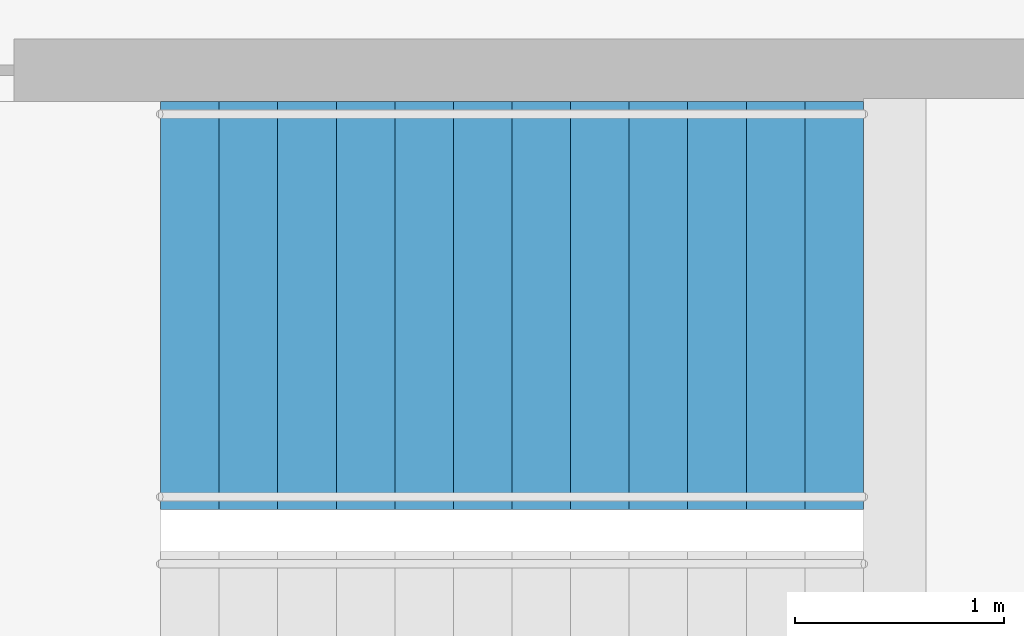
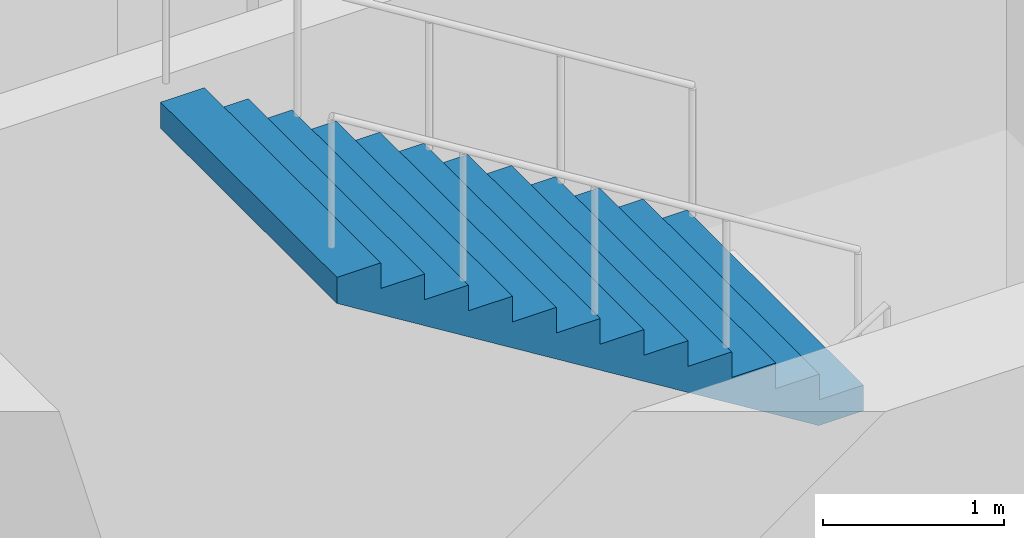
# One storey, part 23 of 35: 1 stair flight, 1 element without a shape of its own.
"""IFC4 building model written with IfcOpenShell, lengths in metres."""

from ifc_helpers import new_model, si_unit, direction, frame, origin, place, context, subcontext, project, spatial, triangles, material, type_object, element, aggregate, save


model = new_model("IFC4")

# Units and contexts
model_context = context("Model", 3, precision=1e-05, world=origin(), true_north=direction((0.0, 1.0)))
body_context = subcontext(model_context, "Body", "Model", "MODEL_VIEW")
ifc_project = project(units=[si_unit("LENGTHUNIT", "METRE"), si_unit("AREAUNIT", "SQUARE_METRE"), si_unit("VOLUMEUNIT", "CUBIC_METRE"), si_unit("PLANEANGLEUNIT", "RADIAN"), si_unit("MASSUNIT", "GRAM", prefix="KILO")], contexts=[model_context])

# Site, building, storey
site_placement = place(None, origin())
site = spatial("IfcSite", under=ifc_project, at=site_placement, CompositionType="ELEMENT")
building_placement = place(site_placement, origin())
building = spatial("IfcBuilding", under=site, at=building_placement, Name="Orbita Commons", CompositionType="ELEMENT")
storey_placement = place(building_placement, frame((0.0, 0.0, 208.300048828125)))
storey = spatial("IfcBuildingStorey", under=building, at=storey_placement, Name="L51", CompositionType="ELEMENT", Elevation=208.300048828125)

# Stair, stair flight
ifc_material_1 = material(Name="Precast concrete C40/50", Category="concrete")
stair_type = type_object("IfcStairType", Name="Exit stair S1 2 flights 13 risers 173", PredefinedType="HALF_TURN_STAIR", material=ifc_material_1)
stair_placement = place(storey_placement, origin())
stair = element("IfcStair", 1, at=stair_placement, inside=storey, type_object=stair_type, Name="Exit stair S1 L51", PredefinedType="HALF_TURN_STAIR")
ifc_material_2 = material(Name="Precast concrete C40/50", Category="concrete")
stair_flight_type = type_object("IfcStairFlightType", Name="Stair flight 13 risers 173 x 280", PredefinedType="STRAIGHT", material=ifc_material_2)
stair_flight_placement = place(storey_placement, frame((23.81005859375, 29.27490234375, 2.25), z_axis=(0.0, 0.0, 1.0), x_axis=(-1.0, 0.0, 0.0)))
stair_flight = element("IfcStairFlight", 2, at=stair_flight_placement, type_object=stair_flight_type, Name="S1 flight 2", NumberOfRisers=13, NumberOfTreads=12, PredefinedType="STRAIGHT", RiserHeight=0.173076923, TreadLength=0.28, context=body_context, shape_type="Tessellation", body=[
    triangles([(0.0, 0.974976, 0.0), (0.0, 0.974976, 0.021635), (0.0, 0.81248, 0.021635), (0.0, 0.81248, 0.0), (0.0, 0.649984, 0.021635), (0.0, 0.649984, 0.0), (0.0, 0.487488, 0.021635), (0.0, 0.487488, 0.0), (0.0, 0.324992, 0.021635), (0.0, 0.324992, 0.0), (0.0, 0.162496, 0.021635), (0.0, 0.162496, 0.0), (0.0, 0.0, 0.021635), (0.0, 0.0, 0.0), (0.0, -0.162496, 0.021635), (0.0, -0.162496, 0.0), (0.0, -0.324992, 0.021635), (0.0, -0.324992, 0.0), (0.0, -0.487488, 0.021635), (0.0, -0.487488, 0.0), (0.0, -0.649984, 0.021635), (0.0, -0.649984, 0.0), (0.0, -0.81248, 0.021635), (0.0, -0.81248, 0.0), (0.0, -0.974976, 0.021635), (0.0, -0.974976, 0.0), (0.0, 0.974976, 0.043269), (0.0, 0.81248, 0.043269), (0.0, 0.649984, 0.043269), (0.0, 0.487488, 0.043269), (0.0, 0.324992, 0.043269), (0.0, 0.162496, 0.043269), (0.0, 0.0, 0.043269), (0.0, -0.162496, 0.043269), (0.0, -0.324992, 0.043269), (0.0, -0.487488, 0.043269), (0.0, -0.649984, 0.043269), (0.0, -0.81248, 0.043269), (0.0, -0.974976, 0.043269), (0.0, 0.974976, 0.064904), (0.0, 0.81248, 0.064904), (0.0, 0.649984, 0.064904), (0.0, 0.487488, 0.064904), (0.0, 0.324992, 0.064904), (0.0, 0.162496, 0.064904), (0.0, 0.0, 0.064904), (0.0, -0.162496, 0.064904), (0.0, -0.324992, 0.064904), (0.0, -0.487488, 0.064904), (0.0, -0.649984, 0.064904), (0.0, -0.81248, 0.064904), (0.0, -0.974976, 0.064904), (0.0, 0.974976, 0.086538), (0.0, 0.81248, 0.086538), (0.0, 0.649984, 0.086538), (0.0, 0.487488, 0.086538), (0.0, 0.324992, 0.086538), (0.0, 0.162496, 0.086538), (0.0, 0.0, 0.086538), (0.0, -0.162496, 0.086538), (0.0, -0.324992, 0.086538), (0.0, -0.487488, 0.086538), (0.0, -0.649984, 0.086538), (0.0, -0.81248, 0.086538), (0.0, -0.974976, 0.086538), (0.0, 0.974976, 0.108173), (0.0, 0.81248, 0.108173), (0.0, 0.649984, 0.108173), (0.0, 0.487488, 0.108173), (0.0, 0.324992, 0.108173), (0.0, 0.162496, 0.108173), (0.0, 0.0, 0.108173), (0.0, -0.162496, 0.108173), (0.0, -0.324992, 0.108173), (0.0, -0.487488, 0.108173), (0.0, -0.649984, 0.108173), (0.0, -0.81248, 0.108173), (0.0, -0.974976, 0.108173), (0.0, 0.974976, 0.129808), (0.0, 0.81248, 0.129808), (0.0, 0.649984, 0.129808), (0.0, 0.487488, 0.129808), (0.0, 0.324992, 0.129808), (0.0, 0.162496, 0.129808), (0.0, 0.0, 0.129808), (0.0, -0.162496, 0.129808), (0.0, -0.324992, 0.129808), (0.0, -0.487488, 0.129808), (0.0, -0.649984, 0.129808), (0.0, -0.81248, 0.129808), (0.0, -0.974976, 0.129808), (0.0, 0.974976, 0.151442), (0.0, 0.81248, 0.151442), (0.0, 0.649984, 0.151442), (0.0, 0.487488, 0.151442), (0.0, 0.324992, 0.151442), (0.0, 0.162496, 0.151442), (0.0, 0.0, 0.151442), (0.0, -0.162496, 0.151442), (0.0, -0.324992, 0.151442), (0.0, -0.487488, 0.151442), (0.0, -0.649984, 0.151442), (0.0, -0.81248, 0.151442), (0.0, -0.974976, 0.151442), (0.0, 0.974976, 0.173077), (0.0, 0.81248, 0.173077), (0.0, 0.649984, 0.173077), (0.0, 0.487488, 0.173077), (0.0, 0.324992, 0.173077), (0.0, 0.162496, 0.173077), (0.0, 0.0, 0.173077), (0.0, -0.162496, 0.173077), (0.0, -0.324992, 0.173077), (0.0, -0.487488, 0.173077), (0.0, -0.649984, 0.173077), (0.0, -0.81248, 0.173077), (0.0, -0.974976, 0.173077), (0.28, 0.974976, 0.173077), (0.28, 0.81248, 0.173077), (0.28, 0.649984, 0.173077), (0.28, 0.487488, 0.173077), (0.28, 0.324992, 0.173077), (0.28, 0.162496, 0.173077), (0.28, 0.0, 0.173077), (0.28, -0.162496, 0.173077), (0.28, -0.324992, 0.173077), (0.28, -0.487488, 0.173077), (0.28, -0.649984, 0.173077), (0.28, -0.81248, 0.173077), (0.28, -0.974976, 0.173077), (0.28, 0.974976, 0.346154), (0.28, 0.81248, 0.346154), (0.28, 0.649984, 0.346154), (0.28, 0.487488, 0.346154), (0.28, 0.324992, 0.346154), (0.28, 0.162496, 0.346154), (0.28, 0.0, 0.346154), (0.28, -0.162496, 0.346154), (0.28, -0.324992, 0.346154), (0.28, -0.487488, 0.346154), (0.28, -0.649984, 0.346154), (0.28, -0.81248, 0.346154), (0.28, -0.974976, 0.346154), (0.56, 0.974976, 0.346154), (0.56, 0.81248, 0.346154), (0.56, 0.649984, 0.346154), (0.56, 0.487488, 0.346154), (0.56, 0.324992, 0.346154), (0.56, 0.162496, 0.346154), (0.56, 0.0, 0.346154), (0.56, -0.162496, 0.346154), (0.56, -0.324992, 0.346154), (0.56, -0.487488, 0.346154), (0.56, -0.649984, 0.346154), (0.56, -0.81248, 0.346154), (0.56, -0.974976, 0.346154), (0.56, 0.974976, 0.519231), (0.56, 0.81248, 0.519231), (0.56, 0.649984, 0.519231), (0.56, 0.487488, 0.519231), (0.56, 0.324992, 0.519231), (0.56, 0.162496, 0.519231), (0.56, 0.0, 0.519231), (0.56, -0.162496, 0.519231), (0.56, -0.324992, 0.519231), (0.56, -0.487488, 0.519231), (0.56, -0.649984, 0.519231), (0.56, -0.81248, 0.519231), (0.56, -0.974976, 0.519231), (0.84, 0.974976, 0.519231), (0.84, 0.81248, 0.519231), (0.84, 0.649984, 0.519231), (0.84, 0.487488, 0.519231), (0.84, 0.324992, 0.519231), (0.84, 0.162496, 0.519231), (0.84, 0.0, 0.519231), (0.84, -0.162496, 0.519231), (0.84, -0.324992, 0.519231), (0.84, -0.487488, 0.519231), (0.84, -0.649984, 0.519231), (0.84, -0.81248, 0.519231), (0.84, -0.974976, 0.519231), (0.84, 0.974976, 0.692308), (0.84, 0.81248, 0.692308), (0.84, 0.649984, 0.692308), (0.84, 0.487488, 0.692308), (0.84, 0.324992, 0.692308), (0.84, 0.162496, 0.692308), (0.84, 0.0, 0.692308), (0.84, -0.162496, 0.692308), (0.84, -0.324992, 0.692308), (0.84, -0.487488, 0.692308), (0.84, -0.649984, 0.692308), (0.84, -0.81248, 0.692308), (0.84, -0.974976, 0.692308), (1.12, 0.974976, 0.692308), (1.12, 0.81248, 0.692308), (1.12, 0.649984, 0.692308), (1.12, 0.487488, 0.692308), (1.12, 0.324992, 0.692308), (1.12, 0.162496, 0.692308), (1.12, 0.0, 0.692308), (1.12, -0.162496, 0.692308), (1.12, -0.324992, 0.692308), (1.12, -0.487488, 0.692308), (1.12, -0.649984, 0.692308), (1.12, -0.81248, 0.692308), (1.12, -0.974976, 0.692308), (1.12, 0.974976, 0.865385), (1.12, 0.81248, 0.865385), (1.12, 0.649984, 0.865385), (1.12, 0.487488, 0.865385), (1.12, 0.324992, 0.865385), (1.12, 0.162496, 0.865385), (1.12, 0.0, 0.865385), (1.12, -0.162496, 0.865385), (1.12, -0.324992, 0.865385), (1.12, -0.487488, 0.865385), (1.12, -0.649984, 0.865385), (1.12, -0.81248, 0.865385), (1.12, -0.974976, 0.865385), (1.4, 0.974976, 0.865385), (1.4, 0.81248, 0.865385), (1.4, 0.649984, 0.865385), (1.4, 0.487488, 0.865385), (1.4, 0.324992, 0.865385), (1.4, 0.162496, 0.865385), (1.4, 0.0, 0.865385), (1.4, -0.162496, 0.865385), (1.4, -0.324992, 0.865385), (1.4, -0.487488, 0.865385), (1.4, -0.649984, 0.865385), (1.4, -0.81248, 0.865385), (1.4, -0.974976, 0.865385), (1.4, 0.974976, 1.038462), (1.4, 0.81248, 1.038462), (1.4, 0.649984, 1.038462), (1.4, 0.487488, 1.038462), (1.4, 0.324992, 1.038462), (1.4, 0.162496, 1.038462), (1.4, 0.0, 1.038462), (1.4, -0.162496, 1.038462), (1.4, -0.324992, 1.038462), (1.4, -0.487488, 1.038462), (1.4, -0.649984, 1.038462), (1.4, -0.81248, 1.038462), (1.4, -0.974976, 1.038462), (1.68, 0.974976, 1.038462), (1.68, 0.81248, 1.038462), (1.68, 0.649984, 1.038462), (1.68, 0.487488, 1.038462), (1.68, 0.324992, 1.038462), (1.68, 0.162496, 1.038462), (1.68, 0.0, 1.038462), (1.68, -0.162496, 1.038462), (1.68, -0.324992, 1.038462), (1.68, -0.487488, 1.038462), (1.68, -0.649984, 1.038462), (1.68, -0.81248, 1.038462), (1.68, -0.974976, 1.038462), (1.68, 0.974976, 1.211538), (1.68, 0.81248, 1.211538), (1.68, 0.649984, 1.211538), (1.68, 0.487488, 1.211538), (1.68, 0.324992, 1.211538), (1.68, 0.162496, 1.211538), (1.68, 0.0, 1.211538), (1.68, -0.162496, 1.211538), (1.68, -0.324992, 1.211538), (1.68, -0.487488, 1.211538), (1.68, -0.649984, 1.211538), (1.68, -0.81248, 1.211538), (1.68, -0.974976, 1.211538), (1.96, 0.974976, 1.211538), (1.96, 0.81248, 1.211538), (1.96, 0.649984, 1.211538), (1.96, 0.487488, 1.211538), (1.96, 0.324992, 1.211538), (1.96, 0.162496, 1.211538), (1.96, 0.0, 1.211538), (1.96, -0.162496, 1.211538), (1.96, -0.324992, 1.211538), (1.96, -0.487488, 1.211538), (1.96, -0.649984, 1.211538), (1.96, -0.81248, 1.211538), (1.96, -0.974976, 1.211538), (1.96, 0.974976, 1.384615), (1.96, 0.81248, 1.384615), (1.96, 0.649984, 1.384615), (1.96, 0.487488, 1.384615), (1.96, 0.324992, 1.384615), (1.96, 0.162496, 1.384615), (1.96, 0.0, 1.384615), (1.96, -0.162496, 1.384615), (1.96, -0.324992, 1.384615), (1.96, -0.487488, 1.384615), (1.96, -0.649984, 1.384615), (1.96, -0.81248, 1.384615), (1.96, -0.974976, 1.384615), (2.24, 0.974976, 1.384615), (2.24, 0.81248, 1.384615), (2.24, 0.649984, 1.384615), (2.24, 0.487488, 1.384615), (2.24, 0.324992, 1.384615), (2.24, 0.162496, 1.384615), (2.24, 0.0, 1.384615), (2.24, -0.162496, 1.384615), (2.24, -0.324992, 1.384615), (2.24, -0.487488, 1.384615), (2.24, -0.649984, 1.384615), (2.24, -0.81248, 1.384615), (2.24, -0.974976, 1.384615), (2.24, 0.974976, 1.557692), (2.24, 0.81248, 1.557692), (2.24, 0.649984, 1.557692), (2.24, 0.487488, 1.557692), (2.24, 0.324992, 1.557692), (2.24, 0.162496, 1.557692), (2.24, 0.0, 1.557692), (2.24, -0.162496, 1.557692), (2.24, -0.324992, 1.557692), (2.24, -0.487488, 1.557692), (2.24, -0.649984, 1.557692), (2.24, -0.81248, 1.557692), (2.24, -0.974976, 1.557692), (2.52, 0.974976, 1.557692), (2.52, 0.81248, 1.557692), (2.52, 0.649984, 1.557692), (2.52, 0.487488, 1.557692), (2.52, 0.324992, 1.557692), (2.52, 0.162496, 1.557692), (2.52, 0.0, 1.557692), (2.52, -0.162496, 1.557692), (2.52, -0.324992, 1.557692), (2.52, -0.487488, 1.557692), (2.52, -0.649984, 1.557692), (2.52, -0.81248, 1.557692), (2.52, -0.974976, 1.557692), (2.52, 0.974976, 1.730769), (2.52, 0.81248, 1.730769), (2.52, 0.649984, 1.730769), (2.52, 0.487488, 1.730769), (2.52, 0.324992, 1.730769), (2.52, 0.162496, 1.730769), (2.52, 0.0, 1.730769), (2.52, -0.162496, 1.730769), (2.52, -0.324992, 1.730769), (2.52, -0.487488, 1.730769), (2.52, -0.649984, 1.730769), (2.52, -0.81248, 1.730769), (2.52, -0.974976, 1.730769), (2.8, 0.974976, 1.730769), (2.8, 0.81248, 1.730769), (2.8, 0.649984, 1.730769), (2.8, 0.487488, 1.730769), (2.8, 0.324992, 1.730769), (2.8, 0.162496, 1.730769), (2.8, 0.0, 1.730769), (2.8, -0.162496, 1.730769), (2.8, -0.324992, 1.730769), (2.8, -0.487488, 1.730769), (2.8, -0.649984, 1.730769), (2.8, -0.81248, 1.730769), (2.8, -0.974976, 1.730769), (2.8, 0.974976, 1.903846), (2.8, 0.81248, 1.903846), (2.8, 0.649984, 1.903846), (2.8, 0.487488, 1.903846), (2.8, 0.324992, 1.903846), (2.8, 0.162496, 1.903846), (2.8, 0.0, 1.903846), (2.8, -0.162496, 1.903846), (2.8, -0.324992, 1.903846), (2.8, -0.487488, 1.903846), (2.8, -0.649984, 1.903846), (2.8, -0.81248, 1.903846), (2.8, -0.974976, 1.903846), (3.08, 0.974976, 1.903846), (3.08, 0.81248, 1.903846), (3.08, 0.649984, 1.903846), (3.08, 0.487488, 1.903846), (3.08, 0.324992, 1.903846), (3.08, 0.162496, 1.903846), (3.08, 0.0, 1.903846), (3.08, -0.162496, 1.903846), (3.08, -0.324992, 1.903846), (3.08, -0.487488, 1.903846), (3.08, -0.649984, 1.903846), (3.08, -0.81248, 1.903846), (3.08, -0.974976, 1.903846), (3.08, 0.974976, 2.076923), (3.08, 0.81248, 2.076923), (3.08, 0.649984, 2.076923), (3.08, 0.487488, 2.076923), (3.08, 0.324992, 2.076923), (3.08, 0.162496, 2.076923), (3.08, 0.0, 2.076923), (3.08, -0.162496, 2.076923), (3.08, -0.324992, 2.076923), (3.08, -0.487488, 2.076923), (3.08, -0.649984, 2.076923), (3.08, -0.81248, 2.076923), (3.08, -0.974976, 2.076923), (3.36, 0.974976, 2.076923), (3.36, 0.81248, 2.076923), (3.36, 0.649984, 2.076923), (3.36, 0.487488, 2.076923), (3.36, 0.324992, 2.076923), (3.36, 0.162496, 2.076923), (3.36, 0.0, 2.076923), (3.36, -0.162496, 2.076923), (3.36, -0.324992, 2.076923), (3.36, -0.487488, 2.076923), (3.36, -0.649984, 2.076923), (3.36, -0.81248, 2.076923), (3.36, -0.974976, 2.076923), (3.36, 0.974976, 2.054895), (3.36, 0.81248, 2.054895), (3.36, 0.649984, 2.054895), (3.36, 0.487488, 2.054895), (3.36, 0.324992, 2.054895), (3.36, 0.162496, 2.054895), (3.36, 0.0, 2.054895), (3.36, -0.162496, 2.054895), (3.36, -0.324992, 2.054895), (3.36, -0.487488, 2.054895), (3.36, -0.649984, 2.054895), (3.36, -0.81248, 2.054895), (3.36, -0.974976, 2.054895), (3.36, 0.974976, 2.032866), (3.36, 0.81248, 2.032866), (3.36, 0.649984, 2.032866), (3.36, 0.487488, 2.032866), (3.36, 0.324992, 2.032866), (3.36, 0.162496, 2.032866), (3.36, 0.0, 2.032866), (3.36, -0.162496, 2.032866), (3.36, -0.324992, 2.032866), (3.36, -0.487488, 2.032866), (3.36, -0.649984, 2.032866), (3.36, -0.81248, 2.032866), (3.36, -0.974976, 2.032866), (3.36, 0.974976, 2.010837), (3.36, 0.81248, 2.010837), (3.36, 0.649984, 2.010837), (3.36, 0.487488, 2.010837), (3.36, 0.324992, 2.010837), (3.36, 0.162496, 2.010837), (3.36, 0.0, 2.010837), (3.36, -0.162496, 2.010837), (3.36, -0.324992, 2.010837), (3.36, -0.487488, 2.010837), (3.36, -0.649984, 2.010837), (3.36, -0.81248, 2.010837), (3.36, -0.974976, 2.010837), (3.36, 0.974976, 1.988809), (3.36, 0.81248, 1.988809), (3.36, 0.649984, 1.988809), (3.36, 0.487488, 1.988809), (3.36, 0.324992, 1.988809), (3.36, 0.162496, 1.988809), (3.36, 0.0, 1.988809), (3.36, -0.162496, 1.988809), (3.36, -0.324992, 1.988809), (3.36, -0.487488, 1.988809), (3.36, -0.649984, 1.988809), (3.36, -0.81248, 1.988809), (3.36, -0.974976, 1.988809), (3.36, 0.974976, 1.96678), (3.36, 0.81248, 1.96678), (3.36, 0.649984, 1.96678), (3.36, 0.487488, 1.96678), (3.36, 0.324992, 1.96678), (3.36, 0.162496, 1.96678), (3.36, 0.0, 1.96678), (3.36, -0.162496, 1.96678), (3.36, -0.324992, 1.96678), (3.36, -0.487488, 1.96678), (3.36, -0.649984, 1.96678), (3.36, -0.81248, 1.96678), (3.36, -0.974976, 1.96678), (3.36, 0.974976, 1.944752), (3.36, 0.81248, 1.944752), (3.36, 0.649984, 1.944752), (3.36, 0.487488, 1.944752), (3.36, 0.324992, 1.944752), (3.36, 0.162496, 1.944752), (3.36, 0.0, 1.944752), (3.36, -0.162496, 1.944752), (3.36, -0.324992, 1.944752), (3.36, -0.487488, 1.944752), (3.36, -0.649984, 1.944752), (3.36, -0.81248, 1.944752), (3.36, -0.974976, 1.944752), (3.36, 0.974976, 1.922723), (3.36, 0.81248, 1.922723), (3.36, 0.649984, 1.922723), (3.36, 0.487488, 1.922723), (3.36, 0.324992, 1.922723), (3.36, 0.162496, 1.922723), (3.36, 0.0, 1.922723), (3.36, -0.162496, 1.922723), (3.36, -0.324992, 1.922723), (3.36, -0.487488, 1.922723), (3.36, -0.649984, 1.922723), (3.36, -0.81248, 1.922723), (3.36, -0.974976, 1.922723), (3.36, 0.974976, 1.900695), (3.36, 0.81248, 1.900695), (3.36, 0.649984, 1.900695), (3.36, 0.487488, 1.900695), (3.36, 0.324992, 1.900695), (3.36, 0.162496, 1.900695), (3.36, 0.0, 1.900695), (3.36, -0.162496, 1.900695), (3.36, -0.324992, 1.900695), (3.36, -0.487488, 1.900695), (3.36, -0.649984, 1.900695), (3.36, -0.81248, 1.900695), (3.36, -0.974976, 1.900695), (0.285099, 0.974976, 0.0), (0.285099, 0.81248, 0.0), (0.285099, 0.649984, 0.0), (0.285099, 0.487488, 0.0), (0.285099, 0.324992, 0.0), (0.285099, 0.162496, 0.0), (0.285099, 0.0, 0.0), (0.285099, -0.162496, 0.0), (0.285099, -0.324992, 0.0), (0.285099, -0.487488, 0.0), (0.285099, -0.649984, 0.0), (0.285099, -0.81248, 0.0), (0.285099, -0.974976, 0.0)], [[3, 2, 1], [4, 3, 1], [5, 3, 4], [6, 5, 4], [7, 5, 6], [8, 7, 6], [9, 7, 8], [10, 9, 8], [11, 9, 10], [12, 11, 10], [13, 11, 12], [14, 13, 12], [15, 13, 14], [16, 15, 14], [17, 15, 16], [18, 17, 16], [19, 17, 18], [20, 19, 18], [21, 19, 20], [22, 21, 20], [23, 21, 22], [24, 23, 22], [25, 23, 24], [26, 25, 24], [28, 27, 2], [3, 28, 2], [29, 28, 3], [5, 29, 3], [30, 29, 5], [7, 30, 5], [31, 30, 7], [9, 31, 7], [32, 31, 9], [11, 32, 9], [33, 32, 11], [13, 33, 11], [34, 33, 13], [15, 34, 13], [35, 34, 15], [17, 35, 15], [36, 35, 17], [19, 36, 17], [37, 36, 19], [21, 37, 19], [38, 37, 21], [23, 38, 21], [39, 38, 23], [25, 39, 23], [41, 40, 27], [28, 41, 27], [42, 41, 28], [29, 42, 28], [43, 42, 29], [30, 43, 29], [44, 43, 30], [31, 44, 30], [45, 44, 31], [32, 45, 31], [46, 45, 32], [33, 46, 32], [47, 46, 33], [34, 47, 33], [48, 47, 34], [35, 48, 34], [49, 48, 35], [36, 49, 35], [50, 49, 36], [37, 50, 36], [51, 50, 37], [38, 51, 37], [52, 51, 38], [39, 52, 38], [54, 53, 40], [41, 54, 40], [55, 54, 41], [42, 55, 41], [56, 55, 42], [43, 56, 42], [57, 56, 43], [44, 57, 43], [58, 57, 44], [45, 58, 44], [59, 58, 45], [46, 59, 45], [60, 59, 46], [47, 60, 46], [61, 60, 47], [48, 61, 47], [62, 61, 48], [49, 62, 48], [63, 62, 49], [50, 63, 49], [64, 63, 50], [51, 64, 50], [65, 64, 51], [52, 65, 51], [67, 66, 53], [54, 67, 53], [68, 67, 54], [55, 68, 54], [69, 68, 55], [56, 69, 55], [70, 69, 56], [57, 70, 56], [71, 70, 57], [58, 71, 57], [72, 71, 58], [59, 72, 58], [73, 72, 59], [60, 73, 59], [74, 73, 60], [61, 74, 60], [75, 74, 61], [62, 75, 61], [76, 75, 62], [63, 76, 62], [77, 76, 63], [64, 77, 63], [78, 77, 64], [65, 78, 64], [80, 79, 66], [67, 80, 66], [81, 80, 67], [68, 81, 67], [82, 81, 68], [69, 82, 68], [83, 82, 69], [70, 83, 69], [84, 83, 70], [71, 84, 70], [85, 84, 71], [72, 85, 71], [86, 85, 72], [73, 86, 72], [87, 86, 73], [74, 87, 73], [88, 87, 74], [75, 88, 74], [89, 88, 75], [76, 89, 75], [90, 89, 76], [77, 90, 76], [91, 90, 77], [78, 91, 77], [93, 92, 79], [80, 93, 79], [94, 93, 80], [81, 94, 80], [95, 94, 81], [82, 95, 81], [96, 95, 82], [83, 96, 82], [97, 96, 83], [84, 97, 83], [98, 97, 84], [85, 98, 84], [99, 98, 85], [86, 99, 85], [100, 99, 86], [87, 100, 86], [101, 100, 87], [88, 101, 87], [102, 101, 88], [89, 102, 88], [103, 102, 89], [90, 103, 89], [104, 103, 90], [91, 104, 90], [106, 105, 92], [93, 106, 92], [107, 106, 93], [94, 107, 93], [108, 107, 94], [95, 108, 94], [109, 108, 95], [96, 109, 95], [110, 109, 96], [97, 110, 96], [111, 110, 97], [98, 111, 97], [112, 111, 98], [99, 112, 98], [113, 112, 99], [100, 113, 99], [114, 113, 100], [101, 114, 100], [115, 114, 101], [102, 115, 101], [116, 115, 102], [103, 116, 102], [117, 116, 103], [104, 117, 103], [119, 118, 105], [106, 119, 105], [120, 119, 106], [107, 120, 106], [121, 120, 107], [108, 121, 107], [122, 121, 108], [109, 122, 108], [123, 122, 109], [110, 123, 109], [124, 123, 110], [111, 124, 110], [125, 124, 111], [112, 125, 111], [126, 125, 112], [113, 126, 112], [127, 126, 113], [114, 127, 113], [128, 127, 114], [115, 128, 114], [129, 128, 115], [116, 129, 115], [130, 129, 116], [117, 130, 116], [132, 131, 118], [119, 132, 118], [133, 132, 119], [120, 133, 119], [134, 133, 120], [121, 134, 120], [135, 134, 121], [122, 135, 121], [136, 135, 122], [123, 136, 122], [137, 136, 123], [124, 137, 123], [138, 137, 124], [125, 138, 124], [139, 138, 125], [126, 139, 125], [140, 139, 126], [127, 140, 126], [141, 140, 127], [128, 141, 127], [142, 141, 128], [129, 142, 128], [143, 142, 129], [130, 143, 129], [145, 144, 131], [132, 145, 131], [146, 145, 132], [133, 146, 132], [147, 146, 133], [134, 147, 133], [148, 147, 134], [135, 148, 134], [149, 148, 135], [136, 149, 135], [150, 149, 136], [137, 150, 136], [151, 150, 137], [138, 151, 137], [152, 151, 138], [139, 152, 138], [153, 152, 139], [140, 153, 139], [154, 153, 140], [141, 154, 140], [155, 154, 141], [142, 155, 141], [156, 155, 142], [143, 156, 142], [158, 157, 144], [145, 158, 144], [159, 158, 145], [146, 159, 145], [160, 159, 146], [147, 160, 146], [161, 160, 147], [148, 161, 147], [162, 161, 148], [149, 162, 148], [163, 162, 149], [150, 163, 149], [164, 163, 150], [151, 164, 150], [165, 164, 151], [152, 165, 151], [166, 165, 152], [153, 166, 152], [167, 166, 153], [154, 167, 153], [168, 167, 154], [155, 168, 154], [169, 168, 155], [156, 169, 155], [171, 170, 157], [158, 171, 157], [172, 171, 158], [159, 172, 158], [173, 172, 159], [160, 173, 159], [174, 173, 160], [161, 174, 160], [175, 174, 161], [162, 175, 161], [176, 175, 162], [163, 176, 162], [177, 176, 163], [164, 177, 163], [178, 177, 164], [165, 178, 164], [179, 178, 165], [166, 179, 165], [180, 179, 166], [167, 180, 166], [181, 180, 167], [168, 181, 167], [182, 181, 168], [169, 182, 168], [184, 183, 170], [171, 184, 170], [185, 184, 171], [172, 185, 171], [186, 185, 172], [173, 186, 172], [187, 186, 173], [174, 187, 173], [188, 187, 174], [175, 188, 174], [189, 188, 175], [176, 189, 175], [190, 189, 176], [177, 190, 176], [191, 190, 177], [178, 191, 177], [192, 191, 178], [179, 192, 178], [193, 192, 179], [180, 193, 179], [194, 193, 180], [181, 194, 180], [195, 194, 181], [182, 195, 181], [197, 196, 183], [184, 197, 183], [198, 197, 184], [185, 198, 184], [199, 198, 185], [186, 199, 185], [200, 199, 186], [187, 200, 186], [201, 200, 187], [188, 201, 187], [202, 201, 188], [189, 202, 188], [203, 202, 189], [190, 203, 189], [204, 203, 190], [191, 204, 190], [205, 204, 191], [192, 205, 191], [206, 205, 192], [193, 206, 192], [207, 206, 193], [194, 207, 193], [208, 207, 194], [195, 208, 194], [210, 209, 196], [197, 210, 196], [211, 210, 197], [198, 211, 197], [212, 211, 198], [199, 212, 198], [213, 212, 199], [200, 213, 199], [214, 213, 200], [201, 214, 200], [215, 214, 201], [202, 215, 201], [216, 215, 202], [203, 216, 202], [217, 216, 203], [204, 217, 203], [218, 217, 204], [205, 218, 204], [219, 218, 205], [206, 219, 205], [220, 219, 206], [207, 220, 206], [221, 220, 207], [208, 221, 207], [223, 222, 209], [210, 223, 209], [224, 223, 210], [211, 224, 210], [225, 224, 211], [212, 225, 211], [226, 225, 212], [213, 226, 212], [227, 226, 213], [214, 227, 213], [228, 227, 214], [215, 228, 214], [229, 228, 215], [216, 229, 215], [230, 229, 216], [217, 230, 216], [231, 230, 217], [218, 231, 217], [232, 231, 218], [219, 232, 218], [233, 232, 219], [220, 233, 219], [234, 233, 220], [221, 234, 220], [236, 235, 222], [223, 236, 222], [237, 236, 223], [224, 237, 223], [238, 237, 224], [225, 238, 224], [239, 238, 225], [226, 239, 225], [240, 239, 226], [227, 240, 226], [241, 240, 227], [228, 241, 227], [242, 241, 228], [229, 242, 228], [243, 242, 229], [230, 243, 229], [244, 243, 230], [231, 244, 230], [245, 244, 231], [232, 245, 231], [246, 245, 232], [233, 246, 232], [247, 246, 233], [234, 247, 233], [249, 248, 235], [236, 249, 235], [250, 249, 236], [237, 250, 236], [251, 250, 237], [238, 251, 237], [252, 251, 238], [239, 252, 238], [253, 252, 239], [240, 253, 239], [254, 253, 240], [241, 254, 240], [255, 254, 241], [242, 255, 241], [256, 255, 242], [243, 256, 242], [257, 256, 243], [244, 257, 243], [258, 257, 244], [245, 258, 244], [259, 258, 245], [246, 259, 245], [260, 259, 246], [247, 260, 246], [262, 261, 248], [249, 262, 248], [263, 262, 249], [250, 263, 249], [264, 263, 250], [251, 264, 250], [265, 264, 251], [252, 265, 251], [266, 265, 252], [253, 266, 252], [267, 266, 253], [254, 267, 253], [268, 267, 254], [255, 268, 254], [269, 268, 255], [256, 269, 255], [270, 269, 256], [257, 270, 256], [271, 270, 257], [258, 271, 257], [272, 271, 258], [259, 272, 258], [273, 272, 259], [260, 273, 259], [275, 274, 261], [262, 275, 261], [276, 275, 262], [263, 276, 262], [277, 276, 263], [264, 277, 263], [278, 277, 264], [265, 278, 264], [279, 278, 265], [266, 279, 265], [280, 279, 266], [267, 280, 266], [281, 280, 267], [268, 281, 267], [282, 281, 268], [269, 282, 268], [283, 282, 269], [270, 283, 269], [284, 283, 270], [271, 284, 270], [285, 284, 271], [272, 285, 271], [286, 285, 272], [273, 286, 272], [288, 287, 274], [275, 288, 274], [289, 288, 275], [276, 289, 275], [290, 289, 276], [277, 290, 276], [291, 290, 277], [278, 291, 277], [292, 291, 278], [279, 292, 278], [293, 292, 279], [280, 293, 279], [294, 293, 280], [281, 294, 280], [295, 294, 281], [282, 295, 281], [296, 295, 282], [283, 296, 282], [297, 296, 283], [284, 297, 283], [298, 297, 284], [285, 298, 284], [299, 298, 285], [286, 299, 285], [301, 300, 287], [288, 301, 287], [302, 301, 288], [289, 302, 288], [303, 302, 289], [290, 303, 289], [304, 303, 290], [291, 304, 290], [305, 304, 291], [292, 305, 291], [306, 305, 292], [293, 306, 292], [307, 306, 293], [294, 307, 293], [308, 307, 294], [295, 308, 294], [309, 308, 295], [296, 309, 295], [310, 309, 296], [297, 310, 296], [311, 310, 297], [298, 311, 297], [312, 311, 298], [299, 312, 298], [314, 313, 300], [301, 314, 300], [315, 314, 301], [302, 315, 301], [316, 315, 302], [303, 316, 302], [317, 316, 303], [304, 317, 303], [318, 317, 304], [305, 318, 304], [319, 318, 305], [306, 319, 305], [320, 319, 306], [307, 320, 306], [321, 320, 307], [308, 321, 307], [322, 321, 308], [309, 322, 308], [323, 322, 309], [310, 323, 309], [324, 323, 310], [311, 324, 310], [325, 324, 311], [312, 325, 311], [327, 326, 313], [314, 327, 313], [328, 327, 314], [315, 328, 314], [329, 328, 315], [316, 329, 315], [330, 329, 316], [317, 330, 316], [331, 330, 317], [318, 331, 317], [332, 331, 318], [319, 332, 318], [333, 332, 319], [320, 333, 319], [334, 333, 320], [321, 334, 320], [335, 334, 321], [322, 335, 321], [336, 335, 322], [323, 336, 322], [337, 336, 323], [324, 337, 323], [338, 337, 324], [325, 338, 324], [340, 339, 326], [327, 340, 326], [341, 340, 327], [328, 341, 327], [342, 341, 328], [329, 342, 328], [343, 342, 329], [330, 343, 329], [344, 343, 330], [331, 344, 330], [345, 344, 331], [332, 345, 331], [346, 345, 332], [333, 346, 332], [347, 346, 333], [334, 347, 333], [348, 347, 334], [335, 348, 334], [349, 348, 335], [336, 349, 335], [350, 349, 336], [337, 350, 336], [351, 350, 337], [338, 351, 337], [353, 352, 339], [340, 353, 339], [354, 353, 340], [341, 354, 340], [355, 354, 341], [342, 355, 341], [356, 355, 342], [343, 356, 342], [357, 356, 343], [344, 357, 343], [358, 357, 344], [345, 358, 344], [359, 358, 345], [346, 359, 345], [360, 359, 346], [347, 360, 346], [361, 360, 347], [348, 361, 347], [362, 361, 348], [349, 362, 348], [363, 362, 349], [350, 363, 349], [364, 363, 350], [351, 364, 350], [366, 365, 352], [353, 366, 352], [367, 366, 353], [354, 367, 353], [368, 367, 354], [355, 368, 354], [369, 368, 355], [356, 369, 355], [370, 369, 356], [357, 370, 356], [371, 370, 357], [358, 371, 357], [372, 371, 358], [359, 372, 358], [373, 372, 359], [360, 373, 359], [374, 373, 360], [361, 374, 360], [375, 374, 361], [362, 375, 361], [376, 375, 362], [363, 376, 362], [377, 376, 363], [364, 377, 363], [379, 378, 365], [366, 379, 365], [380, 379, 366], [367, 380, 366], [381, 380, 367], [368, 381, 367], [382, 381, 368], [369, 382, 368], [383, 382, 369], [370, 383, 369], [384, 383, 370], [371, 384, 370], [385, 384, 371], [372, 385, 371], [386, 385, 372], [373, 386, 372], [387, 386, 373], [374, 387, 373], [388, 387, 374], [375, 388, 374], [389, 388, 375], [376, 389, 375], [390, 389, 376], [377, 390, 376], [392, 391, 378], [379, 392, 378], [393, 392, 379], [380, 393, 379], [394, 393, 380], [381, 394, 380], [395, 394, 381], [382, 395, 381], [396, 395, 382], [383, 396, 382], [397, 396, 383], [384, 397, 383], [398, 397, 384], [385, 398, 384], [399, 398, 385], [386, 399, 385], [400, 399, 386], [387, 400, 386], [401, 400, 387], [388, 401, 387], [402, 401, 388], [389, 402, 388], [403, 402, 389], [390, 403, 389], [405, 404, 391], [392, 405, 391], [406, 405, 392], [393, 406, 392], [407, 406, 393], [394, 407, 393], [408, 407, 394], [395, 408, 394], [409, 408, 395], [396, 409, 395], [410, 409, 396], [397, 410, 396], [411, 410, 397], [398, 411, 397], [412, 411, 398], [399, 412, 398], [413, 412, 399], [400, 413, 399], [414, 413, 400], [401, 414, 400], [415, 414, 401], [402, 415, 401], [416, 415, 402], [403, 416, 402], [418, 417, 404], [405, 418, 404], [419, 418, 405], [406, 419, 405], [420, 419, 406], [407, 420, 406], [421, 420, 407], [408, 421, 407], [422, 421, 408], [409, 422, 408], [423, 422, 409], [410, 423, 409], [424, 423, 410], [411, 424, 410], [425, 424, 411], [412, 425, 411], [426, 425, 412], [413, 426, 412], [427, 426, 413], [414, 427, 413], [428, 427, 414], [415, 428, 414], [429, 428, 415], [416, 429, 415], [431, 430, 417], [418, 431, 417], [432, 431, 418], [419, 432, 418], [433, 432, 419], [420, 433, 419], [434, 433, 420], [421, 434, 420], [435, 434, 421], [422, 435, 421], [436, 435, 422], [423, 436, 422], [437, 436, 423], [424, 437, 423], [438, 437, 424], [425, 438, 424], [439, 438, 425], [426, 439, 425], [440, 439, 426], [427, 440, 426], [441, 440, 427], [428, 441, 427], [442, 441, 428], [429, 442, 428], [444, 443, 430], [431, 444, 430], [445, 444, 431], [432, 445, 431], [446, 445, 432], [433, 446, 432], [447, 446, 433], [434, 447, 433], [448, 447, 434], [435, 448, 434], [449, 448, 435], [436, 449, 435], [450, 449, 436], [437, 450, 436], [451, 450, 437], [438, 451, 437], [452, 451, 438], [439, 452, 438], [453, 452, 439], [440, 453, 439], [454, 453, 440], [441, 454, 440], [455, 454, 441], [442, 455, 441], [457, 456, 443], [444, 457, 443], [458, 457, 444], [445, 458, 444], [459, 458, 445], [446, 459, 445], [460, 459, 446], [447, 460, 446], [461, 460, 447], [448, 461, 447], [462, 461, 448], [449, 462, 448], [463, 462, 449], [450, 463, 449], [464, 463, 450], [451, 464, 450], [465, 464, 451], [452, 465, 451], [466, 465, 452], [453, 466, 452], [467, 466, 453], [454, 467, 453], [468, 467, 454], [455, 468, 454], [470, 469, 456], [457, 470, 456], [471, 470, 457], [458, 471, 457], [472, 471, 458], [459, 472, 458], [473, 472, 459], [460, 473, 459], [474, 473, 460], [461, 474, 460], [475, 474, 461], [462, 475, 461], [476, 475, 462], [463, 476, 462], [477, 476, 463], [464, 477, 463], [478, 477, 464], [465, 478, 464], [479, 478, 465], [466, 479, 465], [480, 479, 466], [467, 480, 466], [481, 480, 467], [468, 481, 467], [483, 482, 469], [470, 483, 469], [484, 483, 470], [471, 484, 470], [485, 484, 471], [472, 485, 471], [486, 485, 472], [473, 486, 472], [487, 486, 473], [474, 487, 473], [488, 487, 474], [475, 488, 474], [489, 488, 475], [476, 489, 475], [490, 489, 476], [477, 490, 476], [491, 490, 477], [478, 491, 477], [492, 491, 478], [479, 492, 478], [493, 492, 479], [480, 493, 479], [494, 493, 480], [481, 494, 480], [496, 495, 482], [483, 496, 482], [497, 496, 483], [484, 497, 483], [498, 497, 484], [485, 498, 484], [499, 498, 485], [486, 499, 485], [500, 499, 486], [487, 500, 486], [501, 500, 487], [488, 501, 487], [502, 501, 488], [489, 502, 488], [503, 502, 489], [490, 503, 489], [504, 503, 490], [491, 504, 490], [505, 504, 491], [492, 505, 491], [506, 505, 492], [493, 506, 492], [507, 506, 493], [494, 507, 493], [509, 508, 495], [496, 509, 495], [510, 509, 496], [497, 510, 496], [511, 510, 497], [498, 511, 497], [512, 511, 498], [499, 512, 498], [513, 512, 499], [500, 513, 499], [514, 513, 500], [501, 514, 500], [515, 514, 501], [502, 515, 501], [516, 515, 502], [503, 516, 502], [517, 516, 503], [504, 517, 503], [518, 517, 504], [505, 518, 504], [519, 518, 505], [506, 519, 505], [520, 519, 506], [507, 520, 506], [522, 521, 508], [509, 522, 508], [523, 522, 509], [510, 523, 509], [524, 523, 510], [511, 524, 510], [525, 524, 511], [512, 525, 511], [526, 525, 512], [513, 526, 512], [527, 526, 513], [514, 527, 513], [528, 527, 514], [515, 528, 514], [529, 528, 515], [516, 529, 515], [530, 529, 516], [517, 530, 516], [531, 530, 517], [518, 531, 517], [532, 531, 518], [519, 532, 518], [533, 532, 519], [520, 533, 519], [4, 1, 521], [522, 4, 521], [6, 4, 522], [523, 6, 522], [8, 6, 523], [524, 8, 523], [10, 8, 524], [525, 10, 524], [12, 10, 525], [526, 12, 525], [14, 12, 526], [527, 14, 526], [16, 14, 527], [528, 16, 527], [18, 16, 528], [529, 18, 528], [20, 18, 529], [530, 20, 529], [22, 20, 530], [531, 22, 530], [24, 22, 531], [532, 24, 531], [26, 24, 532], [533, 26, 532], [508, 521, 1], [26, 533, 520], [495, 508, 1], [26, 520, 507], [482, 495, 1], [26, 507, 494], [469, 482, 1], [26, 494, 481], [456, 469, 1], [26, 481, 468], [443, 456, 1], [26, 468, 455], [430, 443, 1], [26, 455, 442], [417, 430, 1], [26, 442, 429], [391, 404, 417], [429, 416, 403], [378, 391, 417], [429, 403, 390], [352, 365, 378], [390, 377, 364], [352, 378, 417], [429, 390, 364], [326, 339, 352], [364, 351, 338], [326, 352, 417], [429, 364, 338], [300, 313, 326], [338, 325, 312], [300, 326, 417], [429, 338, 312], [274, 287, 300], [312, 299, 286], [274, 300, 417], [429, 312, 286], [248, 261, 274], [286, 273, 260], [248, 274, 417], [429, 286, 260], [222, 235, 248], [260, 247, 234], [222, 248, 417], [429, 260, 234], [196, 209, 222], [234, 221, 208], [196, 222, 417], [429, 234, 208], [170, 183, 196], [208, 195, 182], [170, 196, 417], [429, 208, 182], [144, 157, 170], [182, 169, 156], [144, 170, 417], [429, 182, 156], [118, 131, 144], [156, 143, 130], [118, 144, 417], [429, 156, 130], [118, 417, 1], [26, 429, 130], [92, 105, 118], [130, 117, 104], [79, 92, 118], [130, 104, 91], [66, 79, 118], [130, 91, 78], [53, 66, 118], [130, 78, 65], [40, 53, 118], [130, 65, 52], [27, 40, 118], [130, 52, 39], [2, 27, 118], [130, 39, 25], [1, 2, 118], [130, 25, 26]], closed=True),
])
aggregate(stair, [stair_flight])

save(model, "model.ifc")
